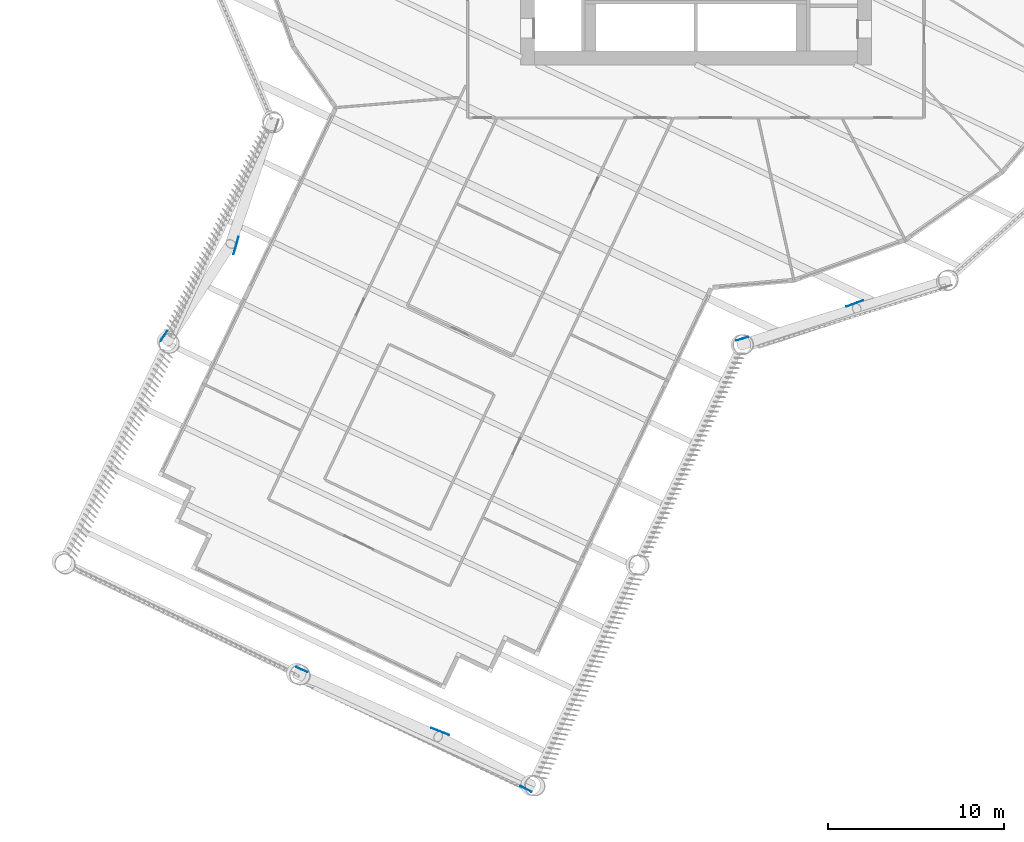
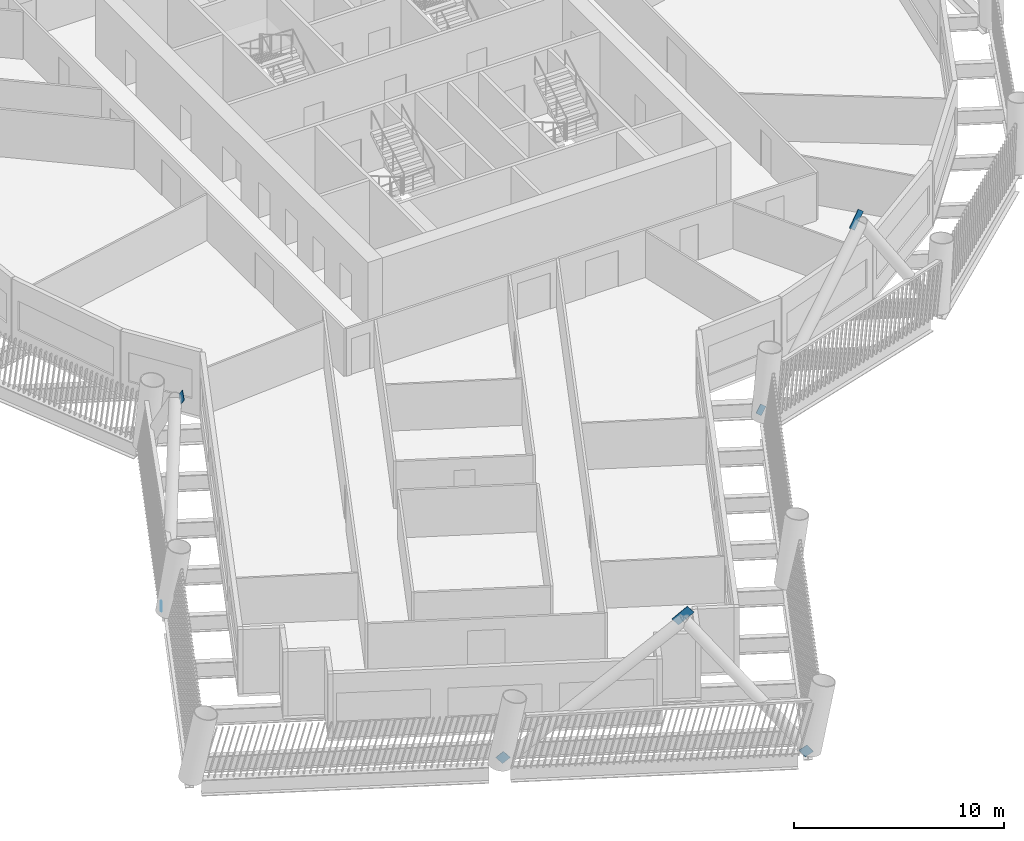
# One storey, part 9 of 22: 7 discrete accessories.
"""IFC4 building model written with IfcOpenShell, lengths in metres."""

from ifc_helpers import new_model, si_unit, direction, frame, origin, origin_2d, place, context, subcontext, project, spatial, rectangle, extrude, material, material_profile, profile_set, type_object, element, save


model = new_model("IFC4")

# Units and contexts
model_context = context("Model", 3, precision=1e-05, world=origin(), true_north=direction((0.0, 1.0)))
body_context = subcontext(model_context, "Body", "Model", "MODEL_VIEW")
ifc_project = project(units=[si_unit("LENGTHUNIT", "METRE"), si_unit("AREAUNIT", "SQUARE_METRE"), si_unit("VOLUMEUNIT", "CUBIC_METRE"), si_unit("PLANEANGLEUNIT", "RADIAN"), si_unit("MASSUNIT", "GRAM", prefix="KILO")], contexts=[model_context])

# Site, building, storey
site_placement = place(None, origin())
site = spatial("IfcSite", under=ifc_project, at=site_placement, CompositionType="ELEMENT")
building_placement = place(site_placement, origin())
building = spatial("IfcBuilding", under=site, at=building_placement, Name="Tarsis Ring Headquarters", CompositionType="ELEMENT")
storey_placement = place(building_placement, frame((0.0, 0.0, 108.39990234375)))
storey = spatial("IfcBuildingStorey", under=building, at=storey_placement, Name="L24", CompositionType="ELEMENT", Elevation=108.39990234375)

# Discrete accessories
ifc_material = material(Name="Structural steel S355", Category="steel")
ifc_material_profile = material_profile(ifc_material, rectangle(XDim=0.02490234375, YDim=0.5, at=origin_2d()), Name="PL 25x500")
ifc_profile_set = profile_set([ifc_material_profile], Name="Structural steel S355")
discrete_accessory_type = type_object("IfcDiscreteAccessoryType", Name="Gusset plate Exo brace 25", PredefinedType="BRACKET", material=ifc_profile_set)
discrete_accessory_1_placement = place(storey_placement, frame((-26.099365234375, -22.937744140625, 7.437744140625), z_axis=(-0.186536819048, -0.663377666692, 0.72466135986), x_axis=(0.962665367777, -0.270694273457, 0.0)))
element("IfcDiscreteAccessory", 1, at=discrete_accessory_1_placement, inside=storey, type_object=discrete_accessory_type, Name="Gusset plate GP5", PredefinedType="BRACKET", context=body_context, shape_type="SweptSolid", body=[
    extrude(rectangle(XDim=0.02490234375, YDim=0.5, at=origin_2d()), origin(), (0.0, 0.0, 1.0), 1.0),
])
discrete_accessory_2_placement = place(storey_placement, frame((-30.3798828125, -28.55322265625, 0.0), z_axis=(0.353439119341, 0.541874892913, 0.762530254711), x_axis=(-0.837580572612, 0.546313814929, 0.0)))
element("IfcDiscreteAccessory", 2, at=discrete_accessory_2_placement, inside=storey, type_object=discrete_accessory_type, Name="Gusset plate GP5", PredefinedType="BRACKET", context=body_context, shape_type="SweptSolid", body=[
    extrude(rectangle(XDim=0.02490234375, YDim=0.5, at=origin_2d()), origin(), (0.0, 0.0, 1.0), 0.5),
])
discrete_accessory_3_placement = place(storey_placement, frame((-22.6181640625, -47.35888671875, 0.0), z_axis=(0.684312171984, -0.306036898598, 0.661859704145), x_axis=(0.408251838578, 0.912869342402, 0.0)))
element("IfcDiscreteAccessory", 3, at=discrete_accessory_3_placement, inside=storey, type_object=discrete_accessory_type, Name="Gusset plate GP5", PredefinedType="BRACKET", context=body_context, shape_type="SweptSolid", body=[
    extrude(rectangle(XDim=0.02490234375, YDim=0.5, at=origin_2d()), origin(), (0.0, 0.0, 1.0), 0.500244140625),
])
discrete_accessory_4_placement = place(storey_placement, frame((-14.914306640625, -50.82373046875, 7.46923828125), z_axis=(0.698970505691, -0.271482781114, 0.661617209369), x_axis=(0.362053428892, 0.932157344351, 0.0)))
element("IfcDiscreteAccessory", 4, at=discrete_accessory_4_placement, inside=storey, type_object=discrete_accessory_type, Name="Gusset plate GP5", PredefinedType="BRACKET", context=body_context, shape_type="SweptSolid", body=[
    extrude(rectangle(XDim=0.02490234375, YDim=0.5, at=origin_2d()), origin(), (0.0, 0.0, 1.0), 1.0),
])
discrete_accessory_5_placement = place(storey_placement, frame((-9.538818359375, -54.305908203125, 0.0), z_axis=(-0.538348494406, 0.282108277214, 0.794100634994), x_axis=(-0.464157022147, -0.885752933267, 0.0)))
element("IfcDiscreteAccessory", 5, at=discrete_accessory_5_placement, inside=storey, type_object=discrete_accessory_type, Name="Gusset plate GP5", PredefinedType="BRACKET", context=body_context, shape_type="SweptSolid", body=[
    extrude(rectangle(XDim=0.02490234375, YDim=0.5, at=origin_2d()), origin(), (0.0, 0.0, 1.0), 0.500244140625),
])
discrete_accessory_6_placement = place(storey_placement, frame((2.49267578125, -28.630126953125, 0.0), z_axis=(0.631807166953, 0.197744901558, 0.749477589855), x_axis=(-0.298694903502, 0.954348654645, 0.0)))
element("IfcDiscreteAccessory", 6, at=discrete_accessory_6_placement, inside=storey, type_object=discrete_accessory_type, Name="Gusset plate GP5", PredefinedType="BRACKET", context=body_context, shape_type="SweptSolid", body=[
    extrude(rectangle(XDim=0.02490234375, YDim=0.5, at=origin_2d()), origin(), (0.0, 0.0, 1.0), 0.5),
])
discrete_accessory_7_placement = place(storey_placement, frame((8.74951171875, -26.69140625, 7.425537109375), z_axis=(0.621341649673, 0.229981860115, 0.749027969037), x_axis=(-0.347122322179, 0.937819861938, 0.0)))
element("IfcDiscreteAccessory", 7, at=discrete_accessory_7_placement, inside=storey, type_object=discrete_accessory_type, Name="Gusset plate GP5", PredefinedType="BRACKET", context=body_context, shape_type="SweptSolid", body=[
    extrude(rectangle(XDim=0.02490234375, YDim=0.5, at=origin_2d()), origin(), (0.0, 0.0, 1.0), 1.0),
])

save(model, "model.ifc")
